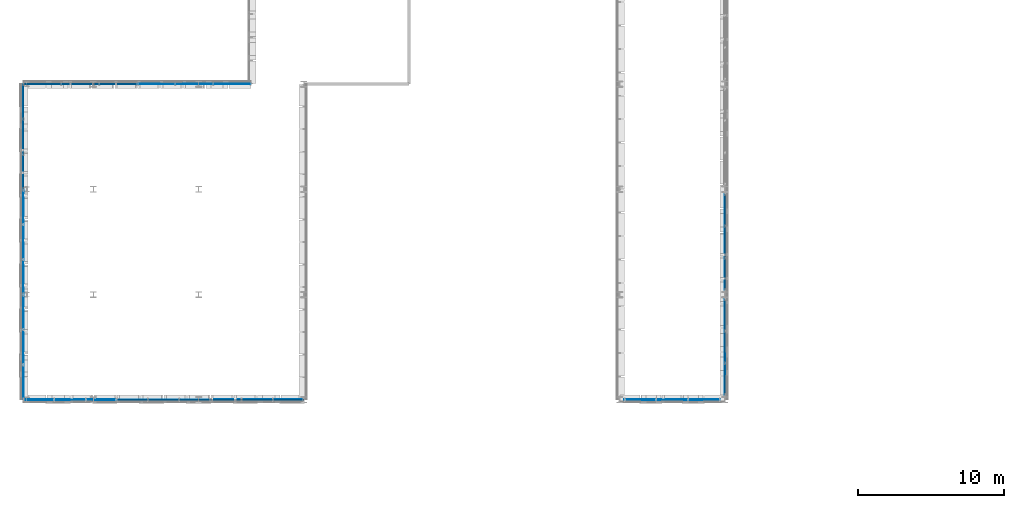
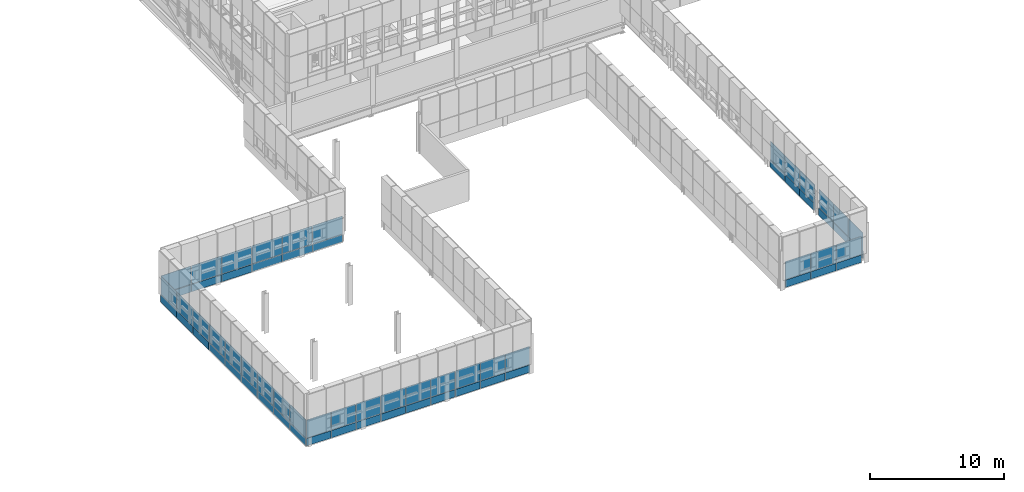
# One storey, part 49 of 96: 66 plates, 11 elements without a shape of their own.
"""IFC4 building model written with IfcOpenShell, lengths in metres."""

from ifc_helpers import new_model, si_unit, direction, frame, origin, origin_2d, place, context, subcontext, project, spatial, rectangle, extrude, material, layer, layer_set, type_object, element, aggregate, save


model = new_model("IFC4")

# Units and contexts
model_context = context("Model", 3, precision=1e-05, world=origin(), true_north=direction((0.0, 1.0)))
body_context = subcontext(model_context, "Body", "Model", "MODEL_VIEW")
ifc_project = project(units=[si_unit("LENGTHUNIT", "METRE"), si_unit("AREAUNIT", "SQUARE_METRE"), si_unit("VOLUMEUNIT", "CUBIC_METRE"), si_unit("PLANEANGLEUNIT", "RADIAN"), si_unit("MASSUNIT", "GRAM", prefix="KILO")], contexts=[model_context])

# Site, building, storey
site_placement = place(None, origin())
site = spatial("IfcSite", under=ifc_project, at=site_placement, CompositionType="ELEMENT")
building_placement = place(site_placement, origin())
building = spatial("IfcBuilding", under=site, at=building_placement, Name="Yarey Park Central Fire Station", CompositionType="ELEMENT")
storey_placement = place(building_placement, frame((0.0, 0.0, 14.39990234375)))
storey = spatial("IfcBuildingStorey", under=building, at=storey_placement, Name="L04", CompositionType="ELEMENT", Elevation=14.39990234375)

# Curtain wall, plates
ifc_material_1 = material(Name="Anodized Aluminium Frame", Category="aluminium")
curtain_wall_type = type_object("IfcCurtainWallType", Name="ENV_CW_V3_OVR2", PredefinedType="NOTDEFINED", material=ifc_material_1)
curtain_wall_1_placement = place(storey_placement, origin())
curtain_wall_1 = element("IfcCurtainWall", 1, at=curtain_wall_1_placement, inside=storey, type_object=curtain_wall_type, Name="CW_L04_DRUM_W_068", PredefinedType="NOTDEFINED")
ifc_material_2 = material(Name="Insulated Aluminium Spandrel Panel", Category="aluminium")
ifc_layer_1 = layer(ifc_material_2, 0.055908203125)
ifc_layer_set_1 = layer_set([ifc_layer_1], Name="Insulated Aluminium Spandrel Panel")
plate_type_1 = type_object("IfcPlateType", Name="ENV_PNL_SPN_01", PredefinedType="CURTAIN_PANEL", material=ifc_layer_set_1)
plate_1_placement = place(storey_placement, frame((9.60009765625, 27.60009765625, 0.04248046875), z_axis=(0.0, 0.0, 1.0), x_axis=(0.0, -1.0, 0.0)))
plate_1 = element("IfcPlate", 2, at=plate_1_placement, type_object=plate_type_1, Name="CW_L04_DRUM_W_068_PNL01", PredefinedType="CURTAIN_PANEL", context=body_context, shape_type="SweptSolid", body=[
    extrude(rectangle(XDim=2.360107421875, YDim=0.055908203125, at=origin_2d()), origin(), (0.0, 0.0, 1.0), 0.666015625),
])
plate_2_placement = place(storey_placement, frame((9.60009765625, 25.199951171875, 0.04248046875), z_axis=(0.0, 0.0, 1.0), x_axis=(0.0, -1.0, 0.0)))
plate_2 = element("IfcPlate", 3, at=plate_2_placement, type_object=plate_type_1, Name="CW_L04_DRUM_W_068_PNL03", PredefinedType="CURTAIN_PANEL", context=body_context, shape_type="SweptSolid", body=[
    extrude(rectangle(XDim=2.360107421875, YDim=0.055908203125, at=origin_2d()), origin(), (0.0, 0.0, 1.0), 0.666015625),
])
plate_3_placement = place(storey_placement, frame((9.60009765625, 22.800048828125, 0.04248046875), z_axis=(0.0, 0.0, 1.0), x_axis=(0.0, -1.0, 0.0)))
plate_3 = element("IfcPlate", 4, at=plate_3_placement, type_object=plate_type_1, Name="CW_L04_DRUM_W_068_PNL05", PredefinedType="CURTAIN_PANEL", context=body_context, shape_type="SweptSolid", body=[
    extrude(rectangle(XDim=2.360107421875, YDim=0.055908203125, at=origin_2d()), origin(), (0.0, 0.0, 1.0), 0.666015625),
])

curtain_wall_2_placement = place(storey_placement, origin())
curtain_wall_2 = element("IfcCurtainWall", 5, at=curtain_wall_2_placement, inside=storey, type_object=curtain_wall_type, Name="CW_L04_DRUM_N_072", PredefinedType="NOTDEFINED")
plate_4_placement = place(storey_placement, frame((23.89990234375, 43.199951171875, 0.04248046875), z_axis=(0.0, 0.0, 1.0), x_axis=(-1.0, 0.0, 0.0)))
plate_4 = element("IfcPlate", 6, at=plate_4_placement, type_object=plate_type_1, Name="CW_L04_DRUM_N_072_PNL01", PredefinedType="CURTAIN_PANEL", context=body_context, shape_type="SweptSolid", body=[
    extrude(rectangle(XDim=2.56005859375, YDim=0.055908203125, at=origin_2d()), origin(), (0.0, 0.0, 1.0), 0.666015625),
])
plate_5_placement = place(storey_placement, frame((21.300048828125, 43.199951171875, 0.04248046875), z_axis=(0.0, 0.0, 1.0), x_axis=(-1.0, 0.0, 0.0)))
plate_5 = element("IfcPlate", 7, at=plate_5_placement, type_object=plate_type_1, Name="CW_L04_DRUM_N_072_PNL03", PredefinedType="CURTAIN_PANEL", context=body_context, shape_type="SweptSolid", body=[
    extrude(rectangle(XDim=2.56005859375, YDim=0.055908203125, at=origin_2d()), origin(), (0.0, 0.0, 1.0), 0.666015625),
])
plate_6_placement = place(storey_placement, frame((18.699951171875, 43.199951171875, 0.04248046875), z_axis=(0.0, 0.0, 1.0), x_axis=(-1.0, 0.0, 0.0)))
plate_6 = element("IfcPlate", 8, at=plate_6_placement, type_object=plate_type_1, Name="CW_L04_DRUM_N_072_PNL05", PredefinedType="CURTAIN_PANEL", context=body_context, shape_type="SweptSolid", body=[
    extrude(rectangle(XDim=2.56005859375, YDim=0.055908203125, at=origin_2d()), origin(), (0.0, 0.0, 1.0), 0.666015625),
])

curtain_wall_3_placement = place(storey_placement, origin())
curtain_wall_3 = element("IfcCurtainWall", 9, at=curtain_wall_3_placement, inside=storey, type_object=curtain_wall_type, Name="CW_L04_DRUM_S_065", PredefinedType="NOTDEFINED")
ifc_layer_2 = layer(ifc_material_2, 0.068115234375)
ifc_layer_set_2 = layer_set([ifc_layer_2], Name="Insulated Aluminium Spandrel Panel")
plate_type_2 = type_object("IfcPlateType", Name="ENV_PNL_SPN_02", PredefinedType="CURTAIN_PANEL", material=ifc_layer_set_2)
plate_7_placement = place(storey_placement, frame((10.666748046875, 21.60009765625, 0.04248046875), z_axis=(0.0, 0.0, 1.0), x_axis=(1.0, 0.0, 0.0)))
plate_7 = element("IfcPlate", 10, at=plate_7_placement, type_object=plate_type_2, Name="CW_L04_DRUM_S_065_PNL01", PredefinedType="CURTAIN_PANEL", context=body_context, shape_type="SweptSolid", body=[
    extrude(rectangle(XDim=2.09326171875, YDim=0.068115234375, at=origin_2d()), origin(), (0.0, 0.0, 1.0), 0.666015625),
])
plate_8_placement = place(storey_placement, frame((12.800048828125, 21.60009765625, 0.04248046875), z_axis=(0.0, 0.0, 1.0), x_axis=(1.0, 0.0, 0.0)))
plate_8 = element("IfcPlate", 11, at=plate_8_placement, type_object=plate_type_2, Name="CW_L04_DRUM_S_065_PNL03", PredefinedType="CURTAIN_PANEL", context=body_context, shape_type="SweptSolid", body=[
    extrude(rectangle(XDim=2.09326171875, YDim=0.068115234375, at=origin_2d()), origin(), (0.0, 0.0, 1.0), 0.666015625),
])
plate_9_placement = place(storey_placement, frame((14.933349609375, 21.60009765625, 0.04248046875), z_axis=(0.0, 0.0, 1.0), x_axis=(1.0, 0.0, 0.0)))
plate_9 = element("IfcPlate", 12, at=plate_9_placement, type_object=plate_type_2, Name="CW_L04_DRUM_S_065_PNL05", PredefinedType="CURTAIN_PANEL", context=body_context, shape_type="SweptSolid", body=[
    extrude(rectangle(XDim=2.09326171875, YDim=0.068115234375, at=origin_2d()), origin(), (0.0, 0.0, 1.0), 0.666015625),
])

curtain_wall_4_placement = place(storey_placement, origin())
curtain_wall_4 = element("IfcCurtainWall", 13, at=curtain_wall_4_placement, inside=storey, type_object=curtain_wall_type, Name="CW_L04_DRUM_W_069", PredefinedType="NOTDEFINED")
plate_10_placement = place(storey_placement, frame((9.60009765625, 34.800048828125, 0.04248046875), z_axis=(0.0, 0.0, 1.0), x_axis=(0.0, -1.0, 0.0)))
plate_10 = element("IfcPlate", 14, at=plate_10_placement, type_object=plate_type_2, Name="CW_L04_DRUM_W_069_PNL01", PredefinedType="CURTAIN_PANEL", context=body_context, shape_type="SweptSolid", body=[
    extrude(rectangle(XDim=2.360107421875, YDim=0.068115234375, at=origin_2d()), origin(), (0.0, 0.0, 1.0), 0.666015625),
])
plate_11_placement = place(storey_placement, frame((9.60009765625, 32.39990234375, 0.04248046875), z_axis=(0.0, 0.0, 1.0), x_axis=(0.0, -1.0, 0.0)))
plate_11 = element("IfcPlate", 15, at=plate_11_placement, type_object=plate_type_2, Name="CW_L04_DRUM_W_069_PNL03", PredefinedType="CURTAIN_PANEL", context=body_context, shape_type="SweptSolid", body=[
    extrude(rectangle(XDim=2.360107421875, YDim=0.068115234375, at=origin_2d()), origin(), (0.0, 0.0, 1.0), 0.666015625),
])
plate_12_placement = place(storey_placement, frame((9.60009765625, 30.0, 0.04248046875), z_axis=(0.0, 0.0, 1.0), x_axis=(0.0, -1.0, 0.0)))
plate_12 = element("IfcPlate", 16, at=plate_12_placement, type_object=plate_type_2, Name="CW_L04_DRUM_W_069_PNL05", PredefinedType="CURTAIN_PANEL", context=body_context, shape_type="SweptSolid", body=[
    extrude(rectangle(XDim=2.360107421875, YDim=0.068115234375, at=origin_2d()), origin(), (0.0, 0.0, 1.0), 0.666015625),
])

curtain_wall_5_placement = place(storey_placement, origin())
curtain_wall_5 = element("IfcCurtainWall", 17, at=curtain_wall_5_placement, inside=storey, type_object=curtain_wall_type, Name="CW_L04_V1_SE_073", PredefinedType="NOTDEFINED")
plate_13_placement = place(storey_placement, frame((51.806640625, 21.60009765625, 0.04248046875), z_axis=(0.0, 0.0, 1.0), x_axis=(1.0, 0.0, 0.0)))
plate_13 = element("IfcPlate", 18, at=plate_13_placement, type_object=plate_type_2, Name="CW_L04_V1_SE_073_PNL01", PredefinedType="CURTAIN_PANEL", context=body_context, shape_type="SweptSolid", body=[
    extrude(rectangle(XDim=2.1533203125, YDim=0.068115234375, at=origin_2d()), origin(), (0.0, 0.0, 1.0), 0.666015625),
])
plate_14_placement = place(storey_placement, frame((54.0, 21.60009765625, 0.04248046875), z_axis=(0.0, 0.0, 1.0), x_axis=(1.0, 0.0, 0.0)))
plate_14 = element("IfcPlate", 19, at=plate_14_placement, type_object=plate_type_2, Name="CW_L04_V1_SE_073_PNL03", PredefinedType="CURTAIN_PANEL", context=body_context, shape_type="SweptSolid", body=[
    extrude(rectangle(XDim=2.1533203125, YDim=0.068115234375, at=origin_2d()), origin(), (0.0, 0.0, 1.0), 0.666015625),
])
plate_15_placement = place(storey_placement, frame((56.193359375, 21.60009765625, 0.04248046875), z_axis=(0.0, 0.0, 1.0), x_axis=(1.0, 0.0, 0.0)))
plate_15 = element("IfcPlate", 20, at=plate_15_placement, type_object=plate_type_2, Name="CW_L04_V1_SE_073_PNL05", PredefinedType="CURTAIN_PANEL", context=body_context, shape_type="SweptSolid", body=[
    extrude(rectangle(XDim=2.1533203125, YDim=0.068115234375, at=origin_2d()), origin(), (0.0, 0.0, 1.0), 0.666015625),
])

curtain_wall_6_placement = place(storey_placement, origin())
curtain_wall_6 = element("IfcCurtainWall", 21, at=curtain_wall_6_placement, inside=storey, type_object=curtain_wall_type, Name="CW_L04_DRUM_S_066", PredefinedType="NOTDEFINED")
ifc_layer_3 = layer(ifc_material_2, 0.077880859375)
ifc_layer_set_3 = layer_set([ifc_layer_3], Name="Insulated Aluminium Spandrel Panel")
plate_type_3 = type_object("IfcPlateType", Name="ENV_PNL_SPN_03", PredefinedType="CURTAIN_PANEL", material=ifc_layer_set_3)
plate_16_placement = place(storey_placement, frame((17.066650390625, 21.60009765625, 0.04248046875), z_axis=(0.0, 0.0, 1.0), x_axis=(1.0, 0.0, 0.0)))
plate_16 = element("IfcPlate", 22, at=plate_16_placement, type_object=plate_type_3, Name="CW_L04_DRUM_S_066_PNL01", PredefinedType="CURTAIN_PANEL", context=body_context, shape_type="SweptSolid", body=[
    extrude(rectangle(XDim=2.09326171875, YDim=0.077880859375, at=origin_2d()), origin(), (0.0, 0.0, 1.0), 0.666015625),
])
plate_17_placement = place(storey_placement, frame((19.199951171875, 21.60009765625, 0.04248046875), z_axis=(0.0, 0.0, 1.0), x_axis=(1.0, 0.0, 0.0)))
plate_17 = element("IfcPlate", 23, at=plate_17_placement, type_object=plate_type_3, Name="CW_L04_DRUM_S_066_PNL03", PredefinedType="CURTAIN_PANEL", context=body_context, shape_type="SweptSolid", body=[
    extrude(rectangle(XDim=2.09326171875, YDim=0.077880859375, at=origin_2d()), origin(), (0.0, 0.0, 1.0), 0.666015625),
])
plate_18_placement = place(storey_placement, frame((21.333251953125, 21.60009765625, 0.04248046875), z_axis=(0.0, 0.0, 1.0), x_axis=(1.0, 0.0, 0.0)))
plate_18 = element("IfcPlate", 24, at=plate_18_placement, type_object=plate_type_3, Name="CW_L04_DRUM_S_066_PNL05", PredefinedType="CURTAIN_PANEL", context=body_context, shape_type="SweptSolid", body=[
    extrude(rectangle(XDim=2.09326171875, YDim=0.077880859375, at=origin_2d()), origin(), (0.0, 0.0, 1.0), 0.666015625),
])

curtain_wall_7_placement = place(storey_placement, origin())
curtain_wall_7 = element("IfcCurtainWall", 25, at=curtain_wall_7_placement, inside=storey, type_object=curtain_wall_type, Name="CW_L04_DRUM_W_070", PredefinedType="NOTDEFINED")
plate_19_placement = place(storey_placement, frame((9.60009765625, 42.0, 0.04248046875), z_axis=(0.0, 0.0, 1.0), x_axis=(0.0, -1.0, 0.0)))
plate_19 = element("IfcPlate", 26, at=plate_19_placement, type_object=plate_type_3, Name="CW_L04_DRUM_W_070_PNL01", PredefinedType="CURTAIN_PANEL", context=body_context, shape_type="SweptSolid", body=[
    extrude(rectangle(XDim=2.360107421875, YDim=0.077880859375, at=origin_2d()), origin(), (0.0, 0.0, 1.0), 0.666015625),
])
plate_20_placement = place(storey_placement, frame((9.60009765625, 39.60009765625, 0.04248046875), z_axis=(0.0, 0.0, 1.0), x_axis=(0.0, -1.0, 0.0)))
plate_20 = element("IfcPlate", 27, at=plate_20_placement, type_object=plate_type_3, Name="CW_L04_DRUM_W_070_PNL03", PredefinedType="CURTAIN_PANEL", context=body_context, shape_type="SweptSolid", body=[
    extrude(rectangle(XDim=2.360107421875, YDim=0.077880859375, at=origin_2d()), origin(), (0.0, 0.0, 1.0), 0.666015625),
])
plate_21_placement = place(storey_placement, frame((9.60009765625, 37.199951171875, 0.04248046875), z_axis=(0.0, 0.0, 1.0), x_axis=(0.0, -1.0, 0.0)))
plate_21 = element("IfcPlate", 28, at=plate_21_placement, type_object=plate_type_3, Name="CW_L04_DRUM_W_070_PNL05", PredefinedType="CURTAIN_PANEL", context=body_context, shape_type="SweptSolid", body=[
    extrude(rectangle(XDim=2.360107421875, YDim=0.077880859375, at=origin_2d()), origin(), (0.0, 0.0, 1.0), 0.666015625),
])

curtain_wall_8_placement = place(storey_placement, origin())
curtain_wall_8 = element("IfcCurtainWall", 29, at=curtain_wall_8_placement, inside=storey, type_object=curtain_wall_type, Name="CW_L04_V1_E_074", PredefinedType="NOTDEFINED")
plate_22_placement = place(storey_placement, frame((57.60009765625, 23.006591796875, 0.04248046875), z_axis=(0.0, 0.0, 1.0), x_axis=(0.0, 1.0, 0.0)))
plate_22 = element("IfcPlate", 30, at=plate_22_placement, type_object=plate_type_3, Name="CW_L04_V1_E_074_PNL01", PredefinedType="CURTAIN_PANEL", context=body_context, shape_type="SweptSolid", body=[
    extrude(rectangle(XDim=2.1533203125, YDim=0.077880859375, at=origin_2d()), origin(), (0.0, 0.0, 1.0), 0.666015625),
])
plate_23_placement = place(storey_placement, frame((57.60009765625, 25.199951171875, 0.04248046875), z_axis=(0.0, 0.0, 1.0), x_axis=(0.0, 1.0, 0.0)))
plate_23 = element("IfcPlate", 31, at=plate_23_placement, type_object=plate_type_3, Name="CW_L04_V1_E_074_PNL03", PredefinedType="CURTAIN_PANEL", context=body_context, shape_type="SweptSolid", body=[
    extrude(rectangle(XDim=2.1533203125, YDim=0.077880859375, at=origin_2d()), origin(), (0.0, 0.0, 1.0), 0.666015625),
])
plate_24_placement = place(storey_placement, frame((57.60009765625, 27.393310546875, 0.04248046875), z_axis=(0.0, 0.0, 1.0), x_axis=(0.0, 1.0, 0.0)))
plate_24 = element("IfcPlate", 32, at=plate_24_placement, type_object=plate_type_3, Name="CW_L04_V1_E_074_PNL05", PredefinedType="CURTAIN_PANEL", context=body_context, shape_type="SweptSolid", body=[
    extrude(rectangle(XDim=2.1533203125, YDim=0.077880859375, at=origin_2d()), origin(), (0.0, 0.0, 1.0), 0.666015625),
])

curtain_wall_9_placement = place(storey_placement, origin())
curtain_wall_9 = element("IfcCurtainWall", 33, at=curtain_wall_9_placement, inside=storey, type_object=curtain_wall_type, Name="CW_L04_DRUM_S_067", PredefinedType="NOTDEFINED")
ifc_layer_4 = layer(ifc_material_2, 0.087890625)
ifc_layer_set_4 = layer_set([ifc_layer_4], Name="Insulated Aluminium Spandrel Panel")
plate_type_4 = type_object("IfcPlateType", Name="ENV_PNL_SPN_04", PredefinedType="CURTAIN_PANEL", material=ifc_layer_set_4)
plate_25_placement = place(storey_placement, frame((23.466796875, 21.60009765625, 0.04248046875), z_axis=(0.0, 0.0, 1.0), x_axis=(1.0, 0.0, 0.0)))
plate_25 = element("IfcPlate", 34, at=plate_25_placement, type_object=plate_type_4, Name="CW_L04_DRUM_S_067_PNL01", PredefinedType="CURTAIN_PANEL", context=body_context, shape_type="SweptSolid", body=[
    extrude(rectangle(XDim=2.09326171875, YDim=0.087890625, at=origin_2d()), origin(), (0.0, 0.0, 1.0), 0.666015625),
])
plate_26_placement = place(storey_placement, frame((25.60009765625, 21.60009765625, 0.04248046875), z_axis=(0.0, 0.0, 1.0), x_axis=(1.0, 0.0, 0.0)))
plate_26 = element("IfcPlate", 35, at=plate_26_placement, type_object=plate_type_4, Name="CW_L04_DRUM_S_067_PNL03", PredefinedType="CURTAIN_PANEL", context=body_context, shape_type="SweptSolid", body=[
    extrude(rectangle(XDim=2.09326171875, YDim=0.087890625, at=origin_2d()), origin(), (0.0, 0.0, 1.0), 0.666015625),
])
plate_27_placement = place(storey_placement, frame((27.7333984375, 21.60009765625, 0.04248046875), z_axis=(0.0, 0.0, 1.0), x_axis=(1.0, 0.0, 0.0)))
plate_27 = element("IfcPlate", 36, at=plate_27_placement, type_object=plate_type_4, Name="CW_L04_DRUM_S_067_PNL05", PredefinedType="CURTAIN_PANEL", context=body_context, shape_type="SweptSolid", body=[
    extrude(rectangle(XDim=2.09326171875, YDim=0.087890625, at=origin_2d()), origin(), (0.0, 0.0, 1.0), 0.666015625),
])

curtain_wall_10_placement = place(storey_placement, origin())
curtain_wall_10 = element("IfcCurtainWall", 37, at=curtain_wall_10_placement, inside=storey, type_object=curtain_wall_type, Name="CW_L04_DRUM_N_071", PredefinedType="NOTDEFINED")
plate_28_placement = place(storey_placement, frame((16.10009765625, 43.199951171875, 0.04248046875), z_axis=(0.0, 0.0, 1.0), x_axis=(-1.0, 0.0, 0.0)))
plate_28 = element("IfcPlate", 38, at=plate_28_placement, type_object=plate_type_4, Name="CW_L04_DRUM_N_071_PNL01", PredefinedType="CURTAIN_PANEL", context=body_context, shape_type="SweptSolid", body=[
    extrude(rectangle(XDim=2.56005859375, YDim=0.087890625, at=origin_2d()), origin(), (0.0, 0.0, 1.0), 0.666015625),
])
plate_29_placement = place(storey_placement, frame((13.5, 43.199951171875, 0.04248046875), z_axis=(0.0, 0.0, 1.0), x_axis=(-1.0, 0.0, 0.0)))
plate_29 = element("IfcPlate", 39, at=plate_29_placement, type_object=plate_type_4, Name="CW_L04_DRUM_N_071_PNL03", PredefinedType="CURTAIN_PANEL", context=body_context, shape_type="SweptSolid", body=[
    extrude(rectangle(XDim=2.56005859375, YDim=0.087890625, at=origin_2d()), origin(), (0.0, 0.0, 1.0), 0.666015625),
])
plate_30_placement = place(storey_placement, frame((10.89990234375, 43.199951171875, 0.04248046875), z_axis=(0.0, 0.0, 1.0), x_axis=(-1.0, 0.0, 0.0)))
plate_30 = element("IfcPlate", 40, at=plate_30_placement, type_object=plate_type_4, Name="CW_L04_DRUM_N_071_PNL05", PredefinedType="CURTAIN_PANEL", context=body_context, shape_type="SweptSolid", body=[
    extrude(rectangle(XDim=2.56005859375, YDim=0.087890625, at=origin_2d()), origin(), (0.0, 0.0, 1.0), 0.666015625),
])

curtain_wall_11_placement = place(storey_placement, origin())
curtain_wall_11 = element("IfcCurtainWall", 41, at=curtain_wall_11_placement, inside=storey, type_object=curtain_wall_type, Name="CW_L04_V1_E_075", PredefinedType="NOTDEFINED")
plate_31_placement = place(storey_placement, frame((57.60009765625, 30.206787109375, 0.04248046875), z_axis=(0.0, 0.0, 1.0), x_axis=(0.0, 1.0, 0.0)))
plate_31 = element("IfcPlate", 42, at=plate_31_placement, type_object=plate_type_4, Name="CW_L04_V1_E_075_PNL01", PredefinedType="CURTAIN_PANEL", context=body_context, shape_type="SweptSolid", body=[
    extrude(rectangle(XDim=2.1533203125, YDim=0.087890625, at=origin_2d()), origin(), (0.0, 0.0, 1.0), 0.666015625),
])
plate_32_placement = place(storey_placement, frame((57.60009765625, 32.39990234375, 0.04248046875), z_axis=(0.0, 0.0, 1.0), x_axis=(0.0, 1.0, 0.0)))
plate_32 = element("IfcPlate", 43, at=plate_32_placement, type_object=plate_type_4, Name="CW_L04_V1_E_075_PNL03", PredefinedType="CURTAIN_PANEL", context=body_context, shape_type="SweptSolid", body=[
    extrude(rectangle(XDim=2.1533203125, YDim=0.087890625, at=origin_2d()), origin(), (0.0, 0.0, 1.0), 0.666015625),
])
plate_33_placement = place(storey_placement, frame((57.60009765625, 34.59326171875, 0.04248046875), z_axis=(0.0, 0.0, 1.0), x_axis=(0.0, 1.0, 0.0)))
plate_33 = element("IfcPlate", 44, at=plate_33_placement, type_object=plate_type_4, Name="CW_L04_V1_E_075_PNL05", PredefinedType="CURTAIN_PANEL", context=body_context, shape_type="SweptSolid", body=[
    extrude(rectangle(XDim=2.1533203125, YDim=0.087890625, at=origin_2d()), origin(), (0.0, 0.0, 1.0), 0.666015625),
])

# Plate
ifc_material_3 = material(Name="Laminated Hurricane Low-E Glass", Category="glass")
ifc_layer_5 = layer(ifc_material_3, 0.02392578125)
ifc_layer_set_5 = layer_set([ifc_layer_5], Name="Laminated Hurricane Low-E Glass")
plate_type_5 = type_object("IfcPlateType", Name="ENV_PNL_VIS_01", PredefinedType="CURTAIN_PANEL", material=ifc_layer_set_5)
plate_34_placement = place(storey_placement, frame((9.60009765625, 27.60009765625, 0.74365234375), z_axis=(0.0, 0.0, 1.0), x_axis=(0.0, -1.0, 0.0)))
plate_34 = element("IfcPlate", 45, at=plate_34_placement, type_object=plate_type_5, Name="CW_L04_DRUM_W_068_PNL02", PredefinedType="CURTAIN_PANEL", context=body_context, shape_type="SweptSolid", body=[
    extrude(rectangle(XDim=2.360107421875, YDim=0.02392578125, at=origin_2d()), origin(), (0.0, 0.0, 1.0), 1.634033203125),
])

plate_35_placement = place(storey_placement, frame((9.60009765625, 25.199951171875, 0.74365234375), z_axis=(0.0, 0.0, 1.0), x_axis=(0.0, -1.0, 0.0)))
plate_35 = element("IfcPlate", 46, at=plate_35_placement, type_object=plate_type_5, Name="CW_L04_DRUM_W_068_PNL04", PredefinedType="CURTAIN_PANEL", context=body_context, shape_type="SweptSolid", body=[
    extrude(rectangle(XDim=2.360107421875, YDim=0.02392578125, at=origin_2d()), origin(), (0.0, 0.0, 1.0), 1.634033203125),
])

plate_36_placement = place(storey_placement, frame((9.60009765625, 22.800048828125, 0.74365234375), z_axis=(0.0, 0.0, 1.0), x_axis=(0.0, -1.0, 0.0)))
plate_36 = element("IfcPlate", 47, at=plate_36_placement, type_object=plate_type_5, Name="CW_L04_DRUM_W_068_PNL06", PredefinedType="CURTAIN_PANEL", context=body_context, shape_type="SweptSolid", body=[
    extrude(rectangle(XDim=2.360107421875, YDim=0.02392578125, at=origin_2d()), origin(), (0.0, 0.0, 1.0), 1.634033203125),
])

aggregate(curtain_wall_1, [plate_1, plate_34, plate_2, plate_35, plate_3, plate_36])

plate_37_placement = place(storey_placement, frame((23.89990234375, 43.199951171875, 0.74365234375), z_axis=(0.0, 0.0, 1.0), x_axis=(-1.0, 0.0, 0.0)))
plate_37 = element("IfcPlate", 48, at=plate_37_placement, type_object=plate_type_5, Name="CW_L04_DRUM_N_072_PNL02", PredefinedType="CURTAIN_PANEL", context=body_context, shape_type="SweptSolid", body=[
    extrude(rectangle(XDim=2.56005859375, YDim=0.02392578125, at=origin_2d()), origin(), (0.0, 0.0, 1.0), 1.634033203125),
])

plate_38_placement = place(storey_placement, frame((21.300048828125, 43.199951171875, 0.74365234375), z_axis=(0.0, 0.0, 1.0), x_axis=(-1.0, 0.0, 0.0)))
plate_38 = element("IfcPlate", 49, at=plate_38_placement, type_object=plate_type_5, Name="CW_L04_DRUM_N_072_PNL04", PredefinedType="CURTAIN_PANEL", context=body_context, shape_type="SweptSolid", body=[
    extrude(rectangle(XDim=2.56005859375, YDim=0.02392578125, at=origin_2d()), origin(), (0.0, 0.0, 1.0), 1.634033203125),
])

plate_39_placement = place(storey_placement, frame((18.699951171875, 43.199951171875, 0.74365234375), z_axis=(0.0, 0.0, 1.0), x_axis=(-1.0, 0.0, 0.0)))
plate_39 = element("IfcPlate", 50, at=plate_39_placement, type_object=plate_type_5, Name="CW_L04_DRUM_N_072_PNL06", PredefinedType="CURTAIN_PANEL", context=body_context, shape_type="SweptSolid", body=[
    extrude(rectangle(XDim=2.56005859375, YDim=0.02392578125, at=origin_2d()), origin(), (0.0, 0.0, 1.0), 1.634033203125),
])

aggregate(curtain_wall_2, [plate_4, plate_37, plate_5, plate_38, plate_6, plate_39])

ifc_layer_6 = layer(ifc_material_3, 0.031982421875)
ifc_layer_set_6 = layer_set([ifc_layer_6], Name="Laminated Hurricane Low-E Glass")
plate_type_6 = type_object("IfcPlateType", Name="ENV_PNL_VIS_02", PredefinedType="CURTAIN_PANEL", material=ifc_layer_set_6)
plate_40_placement = place(storey_placement, frame((10.666748046875, 21.60009765625, 0.74365234375), z_axis=(0.0, 0.0, 1.0), x_axis=(1.0, 0.0, 0.0)))
plate_40 = element("IfcPlate", 51, at=plate_40_placement, type_object=plate_type_6, Name="CW_L04_DRUM_S_065_PNL02", PredefinedType="CURTAIN_PANEL", context=body_context, shape_type="SweptSolid", body=[
    extrude(rectangle(XDim=2.09326171875, YDim=0.031982421875, at=origin_2d()), origin(), (0.0, 0.0, 1.0), 1.634033203125),
])

plate_41_placement = place(storey_placement, frame((12.800048828125, 21.60009765625, 0.74365234375), z_axis=(0.0, 0.0, 1.0), x_axis=(1.0, 0.0, 0.0)))
plate_41 = element("IfcPlate", 52, at=plate_41_placement, type_object=plate_type_6, Name="CW_L04_DRUM_S_065_PNL04", PredefinedType="CURTAIN_PANEL", context=body_context, shape_type="SweptSolid", body=[
    extrude(rectangle(XDim=2.09326171875, YDim=0.031982421875, at=origin_2d()), origin(), (0.0, 0.0, 1.0), 1.634033203125),
])

plate_42_placement = place(storey_placement, frame((14.933349609375, 21.60009765625, 0.74365234375), z_axis=(0.0, 0.0, 1.0), x_axis=(1.0, 0.0, 0.0)))
plate_42 = element("IfcPlate", 53, at=plate_42_placement, type_object=plate_type_6, Name="CW_L04_DRUM_S_065_PNL06", PredefinedType="CURTAIN_PANEL", context=body_context, shape_type="SweptSolid", body=[
    extrude(rectangle(XDim=2.09326171875, YDim=0.031982421875, at=origin_2d()), origin(), (0.0, 0.0, 1.0), 1.634033203125),
])

aggregate(curtain_wall_3, [plate_7, plate_40, plate_8, plate_41, plate_9, plate_42])

plate_43_placement = place(storey_placement, frame((9.60009765625, 34.800048828125, 0.74365234375), z_axis=(0.0, 0.0, 1.0), x_axis=(0.0, -1.0, 0.0)))
plate_43 = element("IfcPlate", 54, at=plate_43_placement, type_object=plate_type_6, Name="CW_L04_DRUM_W_069_PNL02", PredefinedType="CURTAIN_PANEL", context=body_context, shape_type="SweptSolid", body=[
    extrude(rectangle(XDim=2.360107421875, YDim=0.031982421875, at=origin_2d()), origin(), (0.0, 0.0, 1.0), 1.634033203125),
])

plate_44_placement = place(storey_placement, frame((9.60009765625, 32.39990234375, 0.74365234375), z_axis=(0.0, 0.0, 1.0), x_axis=(0.0, -1.0, 0.0)))
plate_44 = element("IfcPlate", 55, at=plate_44_placement, type_object=plate_type_6, Name="CW_L04_DRUM_W_069_PNL04", PredefinedType="CURTAIN_PANEL", context=body_context, shape_type="SweptSolid", body=[
    extrude(rectangle(XDim=2.360107421875, YDim=0.031982421875, at=origin_2d()), origin(), (0.0, 0.0, 1.0), 1.634033203125),
])

plate_45_placement = place(storey_placement, frame((9.60009765625, 30.0, 0.74365234375), z_axis=(0.0, 0.0, 1.0), x_axis=(0.0, -1.0, 0.0)))
plate_45 = element("IfcPlate", 56, at=plate_45_placement, type_object=plate_type_6, Name="CW_L04_DRUM_W_069_PNL06", PredefinedType="CURTAIN_PANEL", context=body_context, shape_type="SweptSolid", body=[
    extrude(rectangle(XDim=2.360107421875, YDim=0.031982421875, at=origin_2d()), origin(), (0.0, 0.0, 1.0), 1.634033203125),
])

aggregate(curtain_wall_4, [plate_10, plate_43, plate_11, plate_44, plate_12, plate_45])

plate_46_placement = place(storey_placement, frame((51.806640625, 21.60009765625, 0.74365234375), z_axis=(0.0, 0.0, 1.0), x_axis=(1.0, 0.0, 0.0)))
plate_46 = element("IfcPlate", 57, at=plate_46_placement, type_object=plate_type_6, Name="CW_L04_V1_SE_073_PNL02", PredefinedType="CURTAIN_PANEL", context=body_context, shape_type="SweptSolid", body=[
    extrude(rectangle(XDim=2.1533203125, YDim=0.031982421875, at=origin_2d()), origin(), (0.0, 0.0, 1.0), 1.634033203125),
])

plate_47_placement = place(storey_placement, frame((54.0, 21.60009765625, 0.74365234375), z_axis=(0.0, 0.0, 1.0), x_axis=(1.0, 0.0, 0.0)))
plate_47 = element("IfcPlate", 58, at=plate_47_placement, type_object=plate_type_6, Name="CW_L04_V1_SE_073_PNL04", PredefinedType="CURTAIN_PANEL", context=body_context, shape_type="SweptSolid", body=[
    extrude(rectangle(XDim=2.1533203125, YDim=0.031982421875, at=origin_2d()), origin(), (0.0, 0.0, 1.0), 1.634033203125),
])

plate_48_placement = place(storey_placement, frame((56.193359375, 21.60009765625, 0.74365234375), z_axis=(0.0, 0.0, 1.0), x_axis=(1.0, 0.0, 0.0)))
plate_48 = element("IfcPlate", 59, at=plate_48_placement, type_object=plate_type_6, Name="CW_L04_V1_SE_073_PNL06", PredefinedType="CURTAIN_PANEL", context=body_context, shape_type="SweptSolid", body=[
    extrude(rectangle(XDim=2.1533203125, YDim=0.031982421875, at=origin_2d()), origin(), (0.0, 0.0, 1.0), 1.634033203125),
])

aggregate(curtain_wall_5, [plate_13, plate_46, plate_14, plate_47, plate_15, plate_48])

ifc_layer_7 = layer(ifc_material_3, 0.0380859375)
ifc_layer_set_7 = layer_set([ifc_layer_7], Name="Laminated Hurricane Low-E Glass")
plate_type_7 = type_object("IfcPlateType", Name="ENV_PNL_VIS_03", PredefinedType="CURTAIN_PANEL", material=ifc_layer_set_7)
plate_49_placement = place(storey_placement, frame((17.066650390625, 21.60009765625, 0.74365234375), z_axis=(0.0, 0.0, 1.0), x_axis=(1.0, 0.0, 0.0)))
plate_49 = element("IfcPlate", 60, at=plate_49_placement, type_object=plate_type_7, Name="CW_L04_DRUM_S_066_PNL02", PredefinedType="CURTAIN_PANEL", context=body_context, shape_type="SweptSolid", body=[
    extrude(rectangle(XDim=2.09326171875, YDim=0.0380859375, at=origin_2d()), origin(), (0.0, 0.0, 1.0), 1.634033203125),
])

plate_50_placement = place(storey_placement, frame((19.199951171875, 21.60009765625, 0.74365234375), z_axis=(0.0, 0.0, 1.0), x_axis=(1.0, 0.0, 0.0)))
plate_50 = element("IfcPlate", 61, at=plate_50_placement, type_object=plate_type_7, Name="CW_L04_DRUM_S_066_PNL04", PredefinedType="CURTAIN_PANEL", context=body_context, shape_type="SweptSolid", body=[
    extrude(rectangle(XDim=2.09326171875, YDim=0.0380859375, at=origin_2d()), origin(), (0.0, 0.0, 1.0), 1.634033203125),
])

plate_51_placement = place(storey_placement, frame((21.333251953125, 21.60009765625, 0.74365234375), z_axis=(0.0, 0.0, 1.0), x_axis=(1.0, 0.0, 0.0)))
plate_51 = element("IfcPlate", 62, at=plate_51_placement, type_object=plate_type_7, Name="CW_L04_DRUM_S_066_PNL06", PredefinedType="CURTAIN_PANEL", context=body_context, shape_type="SweptSolid", body=[
    extrude(rectangle(XDim=2.09326171875, YDim=0.0380859375, at=origin_2d()), origin(), (0.0, 0.0, 1.0), 1.634033203125),
])

aggregate(curtain_wall_6, [plate_16, plate_49, plate_17, plate_50, plate_18, plate_51])

plate_52_placement = place(storey_placement, frame((9.60009765625, 42.0, 0.74365234375), z_axis=(0.0, 0.0, 1.0), x_axis=(0.0, -1.0, 0.0)))
plate_52 = element("IfcPlate", 63, at=plate_52_placement, type_object=plate_type_7, Name="CW_L04_DRUM_W_070_PNL02", PredefinedType="CURTAIN_PANEL", context=body_context, shape_type="SweptSolid", body=[
    extrude(rectangle(XDim=2.360107421875, YDim=0.0380859375, at=origin_2d()), origin(), (0.0, 0.0, 1.0), 1.634033203125),
])

plate_53_placement = place(storey_placement, frame((9.60009765625, 39.60009765625, 0.74365234375), z_axis=(0.0, 0.0, 1.0), x_axis=(0.0, -1.0, 0.0)))
plate_53 = element("IfcPlate", 64, at=plate_53_placement, type_object=plate_type_7, Name="CW_L04_DRUM_W_070_PNL04", PredefinedType="CURTAIN_PANEL", context=body_context, shape_type="SweptSolid", body=[
    extrude(rectangle(XDim=2.360107421875, YDim=0.0380859375, at=origin_2d()), origin(), (0.0, 0.0, 1.0), 1.634033203125),
])

plate_54_placement = place(storey_placement, frame((9.60009765625, 37.199951171875, 0.74365234375), z_axis=(0.0, 0.0, 1.0), x_axis=(0.0, -1.0, 0.0)))
plate_54 = element("IfcPlate", 65, at=plate_54_placement, type_object=plate_type_7, Name="CW_L04_DRUM_W_070_PNL06", PredefinedType="CURTAIN_PANEL", context=body_context, shape_type="SweptSolid", body=[
    extrude(rectangle(XDim=2.360107421875, YDim=0.0380859375, at=origin_2d()), origin(), (0.0, 0.0, 1.0), 1.634033203125),
])

aggregate(curtain_wall_7, [plate_19, plate_52, plate_20, plate_53, plate_21, plate_54])

plate_55_placement = place(storey_placement, frame((57.60009765625, 23.006591796875, 0.74365234375), z_axis=(0.0, 0.0, 1.0), x_axis=(0.0, 1.0, 0.0)))
plate_55 = element("IfcPlate", 66, at=plate_55_placement, type_object=plate_type_7, Name="CW_L04_V1_E_074_PNL02", PredefinedType="CURTAIN_PANEL", context=body_context, shape_type="SweptSolid", body=[
    extrude(rectangle(XDim=2.1533203125, YDim=0.0380859375, at=origin_2d()), origin(), (0.0, 0.0, 1.0), 1.634033203125),
])

plate_56_placement = place(storey_placement, frame((57.60009765625, 25.199951171875, 0.74365234375), z_axis=(0.0, 0.0, 1.0), x_axis=(0.0, 1.0, 0.0)))
plate_56 = element("IfcPlate", 67, at=plate_56_placement, type_object=plate_type_7, Name="CW_L04_V1_E_074_PNL04", PredefinedType="CURTAIN_PANEL", context=body_context, shape_type="SweptSolid", body=[
    extrude(rectangle(XDim=2.1533203125, YDim=0.0380859375, at=origin_2d()), origin(), (0.0, 0.0, 1.0), 1.634033203125),
])

plate_57_placement = place(storey_placement, frame((57.60009765625, 27.393310546875, 0.74365234375), z_axis=(0.0, 0.0, 1.0), x_axis=(0.0, 1.0, 0.0)))
plate_57 = element("IfcPlate", 68, at=plate_57_placement, type_object=plate_type_7, Name="CW_L04_V1_E_074_PNL06", PredefinedType="CURTAIN_PANEL", context=body_context, shape_type="SweptSolid", body=[
    extrude(rectangle(XDim=2.1533203125, YDim=0.0380859375, at=origin_2d()), origin(), (0.0, 0.0, 1.0), 1.634033203125),
])

aggregate(curtain_wall_8, [plate_22, plate_55, plate_23, plate_56, plate_24, plate_57])

ifc_layer_8 = layer(ifc_material_3, 0.0458984375)
ifc_layer_set_8 = layer_set([ifc_layer_8], Name="Laminated Hurricane Low-E Glass")
plate_type_8 = type_object("IfcPlateType", Name="ENV_PNL_VIS_04", PredefinedType="CURTAIN_PANEL", material=ifc_layer_set_8)
plate_58_placement = place(storey_placement, frame((23.466796875, 21.60009765625, 0.74365234375), z_axis=(0.0, 0.0, 1.0), x_axis=(1.0, 0.0, 0.0)))
plate_58 = element("IfcPlate", 69, at=plate_58_placement, type_object=plate_type_8, Name="CW_L04_DRUM_S_067_PNL02", PredefinedType="CURTAIN_PANEL", context=body_context, shape_type="SweptSolid", body=[
    extrude(rectangle(XDim=2.09326171875, YDim=0.0458984375, at=origin_2d()), origin(), (0.0, 0.0, 1.0), 1.634033203125),
])

plate_59_placement = place(storey_placement, frame((25.60009765625, 21.60009765625, 0.74365234375), z_axis=(0.0, 0.0, 1.0), x_axis=(1.0, 0.0, 0.0)))
plate_59 = element("IfcPlate", 70, at=plate_59_placement, type_object=plate_type_8, Name="CW_L04_DRUM_S_067_PNL04", PredefinedType="CURTAIN_PANEL", context=body_context, shape_type="SweptSolid", body=[
    extrude(rectangle(XDim=2.09326171875, YDim=0.0458984375, at=origin_2d()), origin(), (0.0, 0.0, 1.0), 1.634033203125),
])

plate_60_placement = place(storey_placement, frame((27.7333984375, 21.60009765625, 0.74365234375), z_axis=(0.0, 0.0, 1.0), x_axis=(1.0, 0.0, 0.0)))
plate_60 = element("IfcPlate", 71, at=plate_60_placement, type_object=plate_type_8, Name="CW_L04_DRUM_S_067_PNL06", PredefinedType="CURTAIN_PANEL", context=body_context, shape_type="SweptSolid", body=[
    extrude(rectangle(XDim=2.09326171875, YDim=0.0458984375, at=origin_2d()), origin(), (0.0, 0.0, 1.0), 1.634033203125),
])

aggregate(curtain_wall_9, [plate_25, plate_58, plate_26, plate_59, plate_27, plate_60])

plate_61_placement = place(storey_placement, frame((16.10009765625, 43.199951171875, 0.74365234375), z_axis=(0.0, 0.0, 1.0), x_axis=(-1.0, 0.0, 0.0)))
plate_61 = element("IfcPlate", 72, at=plate_61_placement, type_object=plate_type_8, Name="CW_L04_DRUM_N_071_PNL02", PredefinedType="CURTAIN_PANEL", context=body_context, shape_type="SweptSolid", body=[
    extrude(rectangle(XDim=2.56005859375, YDim=0.0458984375, at=origin_2d()), origin(), (0.0, 0.0, 1.0), 1.634033203125),
])

plate_62_placement = place(storey_placement, frame((13.5, 43.199951171875, 0.74365234375), z_axis=(0.0, 0.0, 1.0), x_axis=(-1.0, 0.0, 0.0)))
plate_62 = element("IfcPlate", 73, at=plate_62_placement, type_object=plate_type_8, Name="CW_L04_DRUM_N_071_PNL04", PredefinedType="CURTAIN_PANEL", context=body_context, shape_type="SweptSolid", body=[
    extrude(rectangle(XDim=2.56005859375, YDim=0.0458984375, at=origin_2d()), origin(), (0.0, 0.0, 1.0), 1.634033203125),
])

plate_63_placement = place(storey_placement, frame((10.89990234375, 43.199951171875, 0.74365234375), z_axis=(0.0, 0.0, 1.0), x_axis=(-1.0, 0.0, 0.0)))
plate_63 = element("IfcPlate", 74, at=plate_63_placement, type_object=plate_type_8, Name="CW_L04_DRUM_N_071_PNL06", PredefinedType="CURTAIN_PANEL", context=body_context, shape_type="SweptSolid", body=[
    extrude(rectangle(XDim=2.56005859375, YDim=0.0458984375, at=origin_2d()), origin(), (0.0, 0.0, 1.0), 1.634033203125),
])

aggregate(curtain_wall_10, [plate_28, plate_61, plate_29, plate_62, plate_30, plate_63])

plate_64_placement = place(storey_placement, frame((57.60009765625, 30.206787109375, 0.74365234375), z_axis=(0.0, 0.0, 1.0), x_axis=(0.0, 1.0, 0.0)))
plate_64 = element("IfcPlate", 75, at=plate_64_placement, type_object=plate_type_8, Name="CW_L04_V1_E_075_PNL02", PredefinedType="CURTAIN_PANEL", context=body_context, shape_type="SweptSolid", body=[
    extrude(rectangle(XDim=2.1533203125, YDim=0.0458984375, at=origin_2d()), origin(), (0.0, 0.0, 1.0), 1.634033203125),
])

plate_65_placement = place(storey_placement, frame((57.60009765625, 32.39990234375, 0.74365234375), z_axis=(0.0, 0.0, 1.0), x_axis=(0.0, 1.0, 0.0)))
plate_65 = element("IfcPlate", 76, at=plate_65_placement, type_object=plate_type_8, Name="CW_L04_V1_E_075_PNL04", PredefinedType="CURTAIN_PANEL", context=body_context, shape_type="SweptSolid", body=[
    extrude(rectangle(XDim=2.1533203125, YDim=0.0458984375, at=origin_2d()), origin(), (0.0, 0.0, 1.0), 1.634033203125),
])

plate_66_placement = place(storey_placement, frame((57.60009765625, 34.59326171875, 0.74365234375), z_axis=(0.0, 0.0, 1.0), x_axis=(0.0, 1.0, 0.0)))
plate_66 = element("IfcPlate", 77, at=plate_66_placement, type_object=plate_type_8, Name="CW_L04_V1_E_075_PNL06", PredefinedType="CURTAIN_PANEL", context=body_context, shape_type="SweptSolid", body=[
    extrude(rectangle(XDim=2.1533203125, YDim=0.0458984375, at=origin_2d()), origin(), (0.0, 0.0, 1.0), 1.634033203125),
])

aggregate(curtain_wall_11, [plate_31, plate_64, plate_32, plate_65, plate_33, plate_66])

save(model, "model.ifc")
